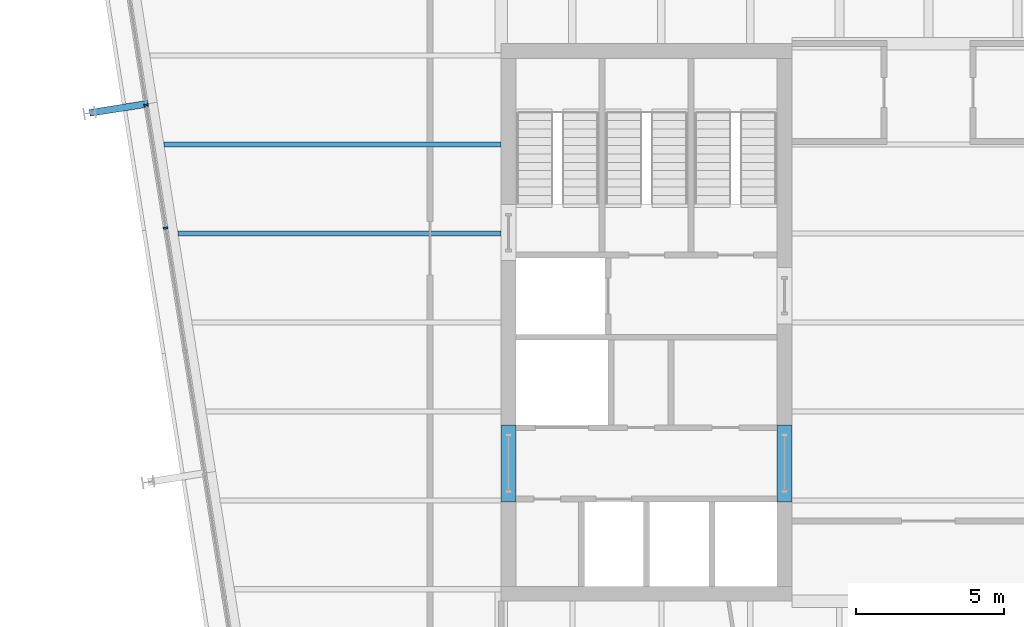
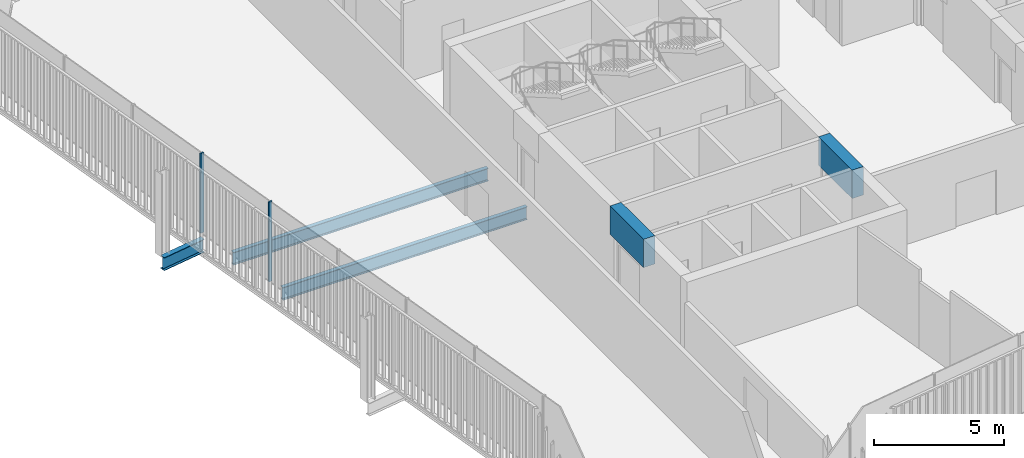
# One storey, part 6 of 20: 5 beams, 2 members, 1 element without a shape of its own.
"""IFC4 building model written with IfcOpenShell, lengths in metres."""

from ifc_helpers import new_model, si_unit, direction, frame, origin, origin_2d, place, context, subcontext, project, spatial, rectangle, i_section, extrude, material, layer, layer_set, material_profile, profile_set, type_object, element, aggregate, save


model = new_model("IFC4")

# Units and contexts
model_context = context("Model", 3, precision=1e-05, world=origin(), true_north=direction((0.0, 1.0)))
body_context = subcontext(model_context, "Body", "Model", "MODEL_VIEW")
ifc_project = project(units=[si_unit("LENGTHUNIT", "METRE"), si_unit("AREAUNIT", "SQUARE_METRE"), si_unit("VOLUMEUNIT", "CUBIC_METRE"), si_unit("PLANEANGLEUNIT", "RADIAN"), si_unit("MASSUNIT", "GRAM", prefix="KILO")], contexts=[model_context])

# Site, building, storey
site_placement = place(None, origin())
site = spatial("IfcSite", under=ifc_project, at=site_placement, CompositionType="ELEMENT")
building_placement = place(site_placement, origin())
building = spatial("IfcBuilding", under=site, at=building_placement, Name="Millrace Tower", CompositionType="ELEMENT")
storey_placement = place(building_placement, frame((0.0, 0.0, 232.0)))
storey = spatial("IfcBuildingStorey", under=building, at=storey_placement, Name="L53", CompositionType="ELEMENT", Elevation=232.0)

# Curtain wall, members
ifc_material_1 = material(Name="Aluminium and glass", Category="aluminium")
ifc_layer = layer(ifc_material_1, 0.14990234375)
ifc_layer_set = layer_set([ifc_layer], Name="Aluminium and glass")
curtain_wall_type = type_object("IfcCurtainWallType", Name="CW-1 office vision curtain wall", PredefinedType="NOTDEFINED", material=ifc_layer_set)
curtain_wall_placement = place(storey_placement, origin())
curtain_wall = element("IfcCurtainWall", 1, at=curtain_wall_placement, inside=storey, type_object=curtain_wall_type, Name="Curtain wall D-F08 L53", PredefinedType="NOTDEFINED")
ifc_material_2 = material(Name="Aluminium", Category="aluminium")
ifc_material_profile_1 = material_profile(ifc_material_2, rectangle(XDim=0.06494140625, YDim=0.14990234375, at=origin_2d()))
ifc_profile_set_1 = profile_set([ifc_material_profile_1], Name="Aluminium")
member_type = type_object("IfcMemberType", Name="CW-1 office vision curtain wall mullion", PredefinedType="MULLION", material=ifc_profile_set_1)
member_1_placement = place(storey_placement, frame((-26.371337890625, 7.33056640625, 0.139892578125), z_axis=(0.0, 0.0, 1.0), x_axis=(0.156434471884, -0.987688339511, 0.0)))
member_1 = element("IfcMember", 2, at=member_1_placement, type_object=member_type, Name="CW1 mullion D-F08.4", PredefinedType="MULLION", context=body_context, shape_type="SweptSolid", body=[
    extrude(rectangle(XDim=0.06494140625, YDim=0.14990234375, at=origin_2d()), origin(), (0.0, 0.0, 1.0), 3.760009765625),
])
member_2_placement = place(storey_placement, frame((-25.71435546875, 3.182373046875, 0.139892578125), z_axis=(0.0, 0.0, 1.0), x_axis=(0.156434471884, -0.987688339511, 0.0)))
member_2 = element("IfcMember", 3, at=member_2_placement, type_object=member_type, Name="CW1 mullion D-F08.5", PredefinedType="MULLION", context=body_context, shape_type="SweptSolid", body=[
    extrude(rectangle(XDim=0.06494140625, YDim=0.14990234375, at=origin_2d()), origin(), (0.0, 0.0, 1.0), 3.760009765625),
])
aggregate(curtain_wall, [member_1, member_2])

# Beams
ifc_material_3 = material(Name="Concrete C60", Category="concrete")
ifc_material_profile_2 = material_profile(ifc_material_3, rectangle(XDim=0.5, YDim=1.340087890625, at=origin_2d()))
ifc_profile_set_2 = profile_set([ifc_material_profile_2], Name="Concrete C60")
beam_type_1 = type_object("IfcBeamType", Name="Coupling beam 500 x 1340 Concrete C60, 2000 opening", PredefinedType="BEAM", material=ifc_profile_set_2)
for number, where, z_axis, x_axis, name in (
    (4, (-14.14990234375, -6.050048828125, 3.070068359375), (0.0, 1.0, 0.0), (-1.0, 0.0, 0.0), "Coupling beam W L53"),
    (5, (-4.85009765625, -6.050048828125, 3.070068359375), (0.0, 1.0, 0.0), (-1.0, 0.0, 0.0), "Coupling beam W L53"),
):
    element("IfcBeam", number, at=place(storey_placement, frame(where, z_axis=z_axis, x_axis=x_axis)), inside=storey, type_object=beam_type_1, Name=name, PredefinedType="BEAM", context=body_context, shape_type="SweptSolid", body=[
        extrude(rectangle(XDim=0.5, YDim=1.340087890625, at=origin_2d()), origin(), (0.0, 0.0, 1.0), 2.60009765625),
    ])
ifc_material_4 = material(Name="Steel ASTM A992 Grade 50", Category="steel")
ifc_material_profile_3 = material_profile(ifc_material_4, i_section(OverallWidth=0.1787109375, OverallDepth=0.60205078125, WebThickness=0.010986328125, FlangeThickness=0.014892578125, FilletRadius=0.0126953125, at=origin_2d()))
ifc_profile_set_3 = profile_set([ifc_material_profile_3], Name="Steel ASTM A992 Grade 50")
beam_type_2 = type_object("IfcBeamType", Name="Floor beam W24x62", PredefinedType="JOIST", material=ifc_profile_set_3)
beam_1_placement = place(storey_placement, frame((-25.29833984375, 3.0, -0.4609375), z_axis=(1.0, 0.0, 0.0), x_axis=(0.0, 1.0, 0.0)))
element("IfcBeam", 6, at=beam_1_placement, inside=storey, type_object=beam_type_2, Name="BM-D-L53-S1-S018", PredefinedType="JOIST", context=body_context, shape_type="SweptSolid", body=[
    extrude(i_section(OverallWidth=0.1787109375, OverallDepth=0.60205078125, WebThickness=0.010986328125, FlangeThickness=0.014892578125, FilletRadius=0.0126953125, at=origin_2d()), origin(), (0.0, 0.0, 1.0), 10.8984375),
])
beam_2_placement = place(storey_placement, frame((-25.7734375, 6.0, -0.4609375), z_axis=(1.0, 0.0, 0.0), x_axis=(0.0, 1.0, 0.0)))
element("IfcBeam", 7, at=beam_2_placement, inside=storey, type_object=beam_type_2, Name="BM-D-L53-S1-S021", PredefinedType="JOIST", context=body_context, shape_type="SweptSolid", body=[
    extrude(i_section(OverallWidth=0.1787109375, OverallDepth=0.60205078125, WebThickness=0.010986328125, FlangeThickness=0.014892578125, FilletRadius=0.0126953125, at=origin_2d()), origin(), (0.0, 0.0, 1.0), 11.37353515625),
])
ifc_material_5 = material(Name="Steel ASTM A992 Grade 50", Category="steel")
ifc_material_profile_4 = material_profile(ifc_material_5, i_section(OverallWidth=0.23046875, OverallDepth=0.6171875, WebThickness=0.01318359375, FlangeThickness=0.022216796875, FilletRadius=0.012939453125, at=origin_2d()))
ifc_profile_set_4 = profile_set([ifc_material_profile_4], Name="Steel ASTM A992 Grade 50")
beam_type_3 = type_object("IfcBeamType", Name="Link beam W24x94", PredefinedType="BEAM", material=ifc_profile_set_4)
beam_3_placement = place(storey_placement, frame((-26.302490234375, 7.37451171875, -0.468505859375), z_axis=(-0.987678691416, -0.156495375404, 0.0), x_axis=(0.156495375404, -0.987678691416, 0.0)))
element("IfcBeam", 8, at=beam_3_placement, inside=storey, type_object=beam_type_3, Name="LNK-D-L53-S1-03", PredefinedType="BEAM", context=body_context, shape_type="SweptSolid", body=[
    extrude(i_section(OverallWidth=0.23046875, OverallDepth=0.6171875, WebThickness=0.01318359375, FlangeThickness=0.022216796875, FilletRadius=0.012939453125, at=origin_2d()), origin(), (0.0, 0.0, 1.0), 2.0),
])

save(model, "model.ifc")
